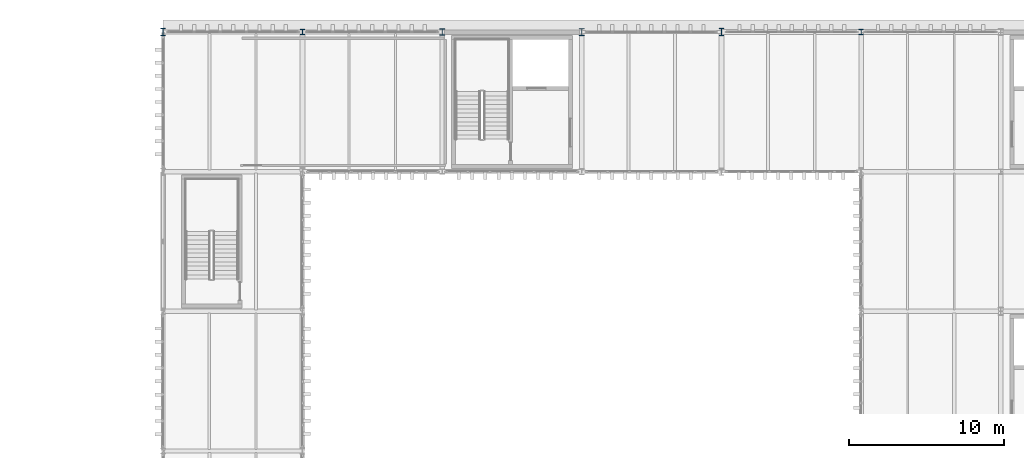
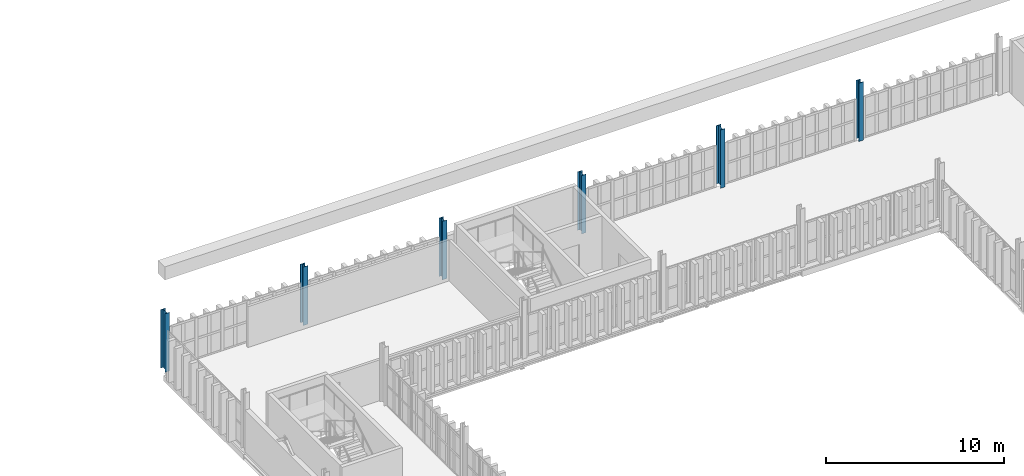
# One storey, part 11 of 102: 6 columns.
"""IFC4 building model written with IfcOpenShell, lengths in metres."""

from ifc_helpers import new_model, si_unit, direction, frame, origin, origin_2d, place, context, subcontext, project, spatial, i_section, extrude, material, material_profile, profile_set, type_object, element, save


model = new_model("IFC4")

# Units and contexts
model_context = context("Model", 3, precision=1e-05, world=origin(), true_north=direction((0.0, 1.0)))
body_context = subcontext(model_context, "Body", "Model", "MODEL_VIEW")
ifc_project = project(units=[si_unit("LENGTHUNIT", "METRE"), si_unit("AREAUNIT", "SQUARE_METRE"), si_unit("VOLUMEUNIT", "CUBIC_METRE"), si_unit("PLANEANGLEUNIT", "RADIAN"), si_unit("MASSUNIT", "GRAM", prefix="KILO")], contexts=[model_context])

# Site, building, storey
site_placement = place(None, origin())
site = spatial("IfcSite", under=ifc_project, at=site_placement, CompositionType="ELEMENT")
building_placement = place(site_placement, origin())
building = spatial("IfcBuilding", under=site, at=building_placement, Name="Barlavento Convention Centre", CompositionType="ELEMENT")
storey_placement = place(building_placement, frame((0.0, 0.0, 22.800048828125)))
storey = spatial("IfcBuildingStorey", under=building, at=storey_placement, Name="L04", CompositionType="ELEMENT", Elevation=22.800048828125)

# Columns
ifc_material = material(Name="Steel S355", Category="steel")
ifc_material_profile_1 = material_profile(ifc_material, i_section(OverallWidth=0.300048828125, OverallDepth=0.340087890625, WebThickness=0.011962890625, FlangeThickness=0.021484375, FilletRadius=0.027099609375, at=origin_2d()), Name="HEB 340")
ifc_profile_set_1 = profile_set([ifc_material_profile_1], Name="Steel S355")
column_type_1 = type_object("IfcColumnType", Name="STR-COL-HEB340", PredefinedType="COLUMN", material=ifc_profile_set_1)
for number, where, z_axis, x_axis, name in (
    (1, (135.0, 99.0, 0.0), (0.0, 0.0, 1.0), (1.0, 0.0, 0.0), "L04 column SC12"),
    (2, (171.0, 99.0, 0.0), (0.0, 0.0, 1.0), (1.0, 0.0, 0.0), "L04 column SC12"),
):
    element("IfcColumn", number, at=place(storey_placement, frame(where, z_axis=z_axis, x_axis=x_axis)), inside=storey, type_object=column_type_1, Name=name, PredefinedType="COLUMN", context=body_context, shape_type="SweptSolid", body=[
        extrude(i_section(OverallWidth=0.300048828125, OverallDepth=0.340087890625, WebThickness=0.011962890625, FlangeThickness=0.021484375, FilletRadius=0.027099609375, at=origin_2d()), origin(), (0.0, 0.0, 1.0), 4.0),
    ])
ifc_material_profile_2 = material_profile(ifc_material, i_section(OverallWidth=0.300048828125, OverallDepth=0.39990234375, WebThickness=0.013427734375, FlangeThickness=0.02392578125, FilletRadius=0.027099609375, at=origin_2d()), Name="HEB 400")
ifc_profile_set_2 = profile_set([ifc_material_profile_2], Name="Steel S355")
column_type_2 = type_object("IfcColumnType", Name="STR-COL-HEB400", PredefinedType="COLUMN", material=ifc_profile_set_2)
column_1_placement = place(storey_placement, frame((144.0, 99.0, 0.0), z_axis=(0.0, 0.0, 1.0), x_axis=(1.0, 0.0, 0.0)))
element("IfcColumn", 3, at=column_1_placement, inside=storey, type_object=column_type_2, Name="L04 column SC11", PredefinedType="COLUMN", context=body_context, shape_type="SweptSolid", body=[
    extrude(i_section(OverallWidth=0.300048828125, OverallDepth=0.39990234375, WebThickness=0.013427734375, FlangeThickness=0.02392578125, FilletRadius=0.027099609375, at=origin_2d()), origin(), (0.0, 0.0, 1.0), 4.0),
])
ifc_material_profile_3 = material_profile(ifc_material, i_section(OverallWidth=0.300048828125, OverallDepth=0.449951171875, WebThickness=0.013916015625, FlangeThickness=0.02587890625, FilletRadius=0.027099609375, at=origin_2d()), Name="HEB 450")
ifc_profile_set_3 = profile_set([ifc_material_profile_3], Name="Steel S355")
column_type_3 = type_object("IfcColumnType", Name="STR-COL-HEB450", PredefinedType="COLUMN", material=ifc_profile_set_3)
column_2_placement = place(storey_placement, frame((153.0, 99.0, 0.0), z_axis=(0.0, 0.0, 1.0), x_axis=(1.0, 0.0, 0.0)))
element("IfcColumn", 4, at=column_2_placement, inside=storey, type_object=column_type_3, Name="L04 column SC10", PredefinedType="COLUMN", context=body_context, shape_type="SweptSolid", body=[
    extrude(i_section(OverallWidth=0.300048828125, OverallDepth=0.449951171875, WebThickness=0.013916015625, FlangeThickness=0.02587890625, FilletRadius=0.027099609375, at=origin_2d()), origin(), (0.0, 0.0, 1.0), 4.0),
])
ifc_material_profile_4 = material_profile(ifc_material, i_section(OverallWidth=0.300048828125, OverallDepth=0.5, WebThickness=0.014404296875, FlangeThickness=0.028076171875, FilletRadius=0.027099609375, at=origin_2d()), Name="HEB 500")
ifc_profile_set_4 = profile_set([ifc_material_profile_4], Name="Steel S355")
column_type_4 = type_object("IfcColumnType", Name="STR-COL-HEB500", PredefinedType="COLUMN", material=ifc_profile_set_4)
for number, where, z_axis, x_axis, name in (
    (5, (126.0, 99.0, 0.0), (0.0, 0.0, 1.0), (1.0, 0.0, 0.0), "L04 column SC09"),
    (6, (162.0, 99.0, 0.0), (0.0, 0.0, 1.0), (1.0, 0.0, 0.0), "L04 column SC09"),
):
    element("IfcColumn", number, at=place(storey_placement, frame(where, z_axis=z_axis, x_axis=x_axis)), inside=storey, type_object=column_type_4, Name=name, PredefinedType="COLUMN", context=body_context, shape_type="SweptSolid", body=[
        extrude(i_section(OverallWidth=0.300048828125, OverallDepth=0.5, WebThickness=0.014404296875, FlangeThickness=0.028076171875, FilletRadius=0.027099609375, at=origin_2d()), origin(), (0.0, 0.0, 1.0), 4.0),
    ])

save(model, "model.ifc")
